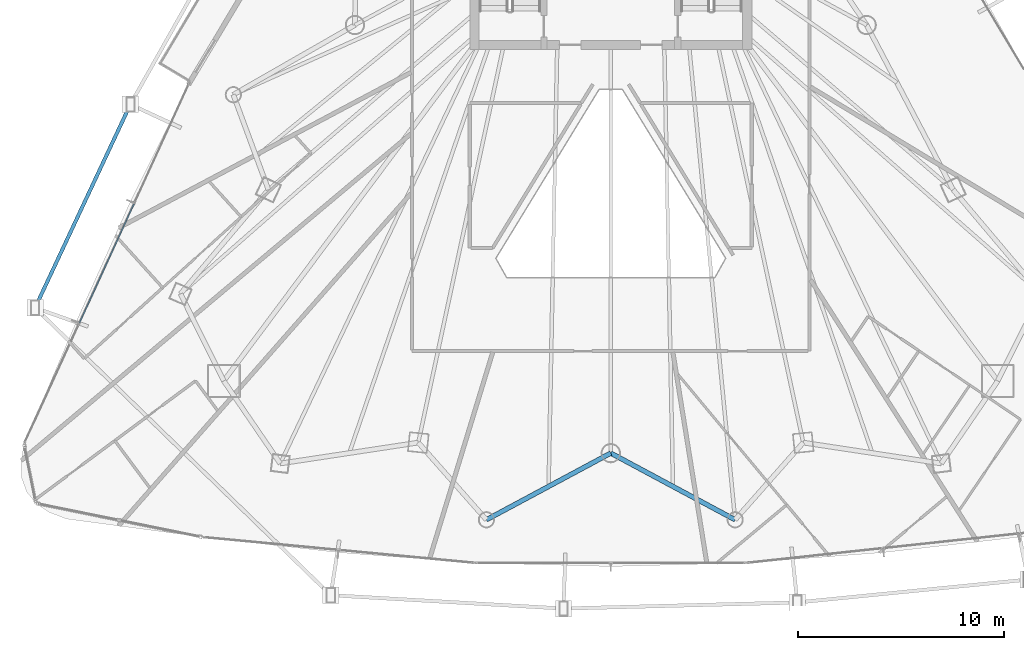
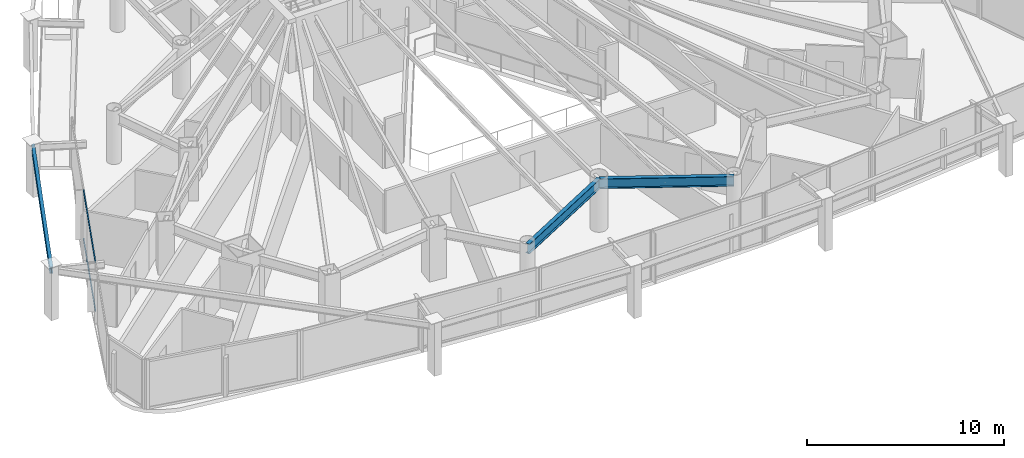
# One storey, part 8 of 38: 3 beams, 2 members, 1 element without a shape of its own.
"""IFC4 building model written with IfcOpenShell, lengths in metres."""

from ifc_helpers import new_model, si_unit, direction, frame, origin, origin_2d, place, context, subcontext, project, spatial, hollow_rectangle, i_section, extrude, material, layer, layer_set, material_profile, profile_set, type_object, element, aggregate, save


model = new_model("IFC4")

# Units and contexts
model_context = context("Model", 3, precision=1e-05, world=origin(), true_north=direction((0.0, 1.0)))
body_context = subcontext(model_context, "Body", "Model", "MODEL_VIEW")
ifc_project = project(units=[si_unit("LENGTHUNIT", "METRE"), si_unit("AREAUNIT", "SQUARE_METRE"), si_unit("VOLUMEUNIT", "CUBIC_METRE"), si_unit("PLANEANGLEUNIT", "RADIAN"), si_unit("MASSUNIT", "GRAM", prefix="KILO")], contexts=[model_context])

# Site, building, storey
site_placement = place(None, origin())
site = spatial("IfcSite", under=ifc_project, at=site_placement, CompositionType="ELEMENT")
building_placement = place(site_placement, origin())
building = spatial("IfcBuilding", under=site, at=building_placement, Name="Orvanel Arch Residences", CompositionType="ELEMENT")
storey_placement = place(building_placement, frame((0.0, 0.0, 50.0)))
storey = spatial("IfcBuildingStorey", under=building, at=storey_placement, Name="L13", CompositionType="ELEMENT", Elevation=50.0)

# Beams
ifc_material_1 = material(Name="Structural steel AS/NZS 3679.1 Grade 300 (300 MPa)", Category="steel")
ifc_material_profile_1 = material_profile(ifc_material_1, i_section(OverallWidth=0.177978515625, OverallDepth=0.406005859375, WebThickness=0.0078125, FlangeThickness=0.0126953125, at=origin_2d()), Name="410UB59.7")
ifc_profile_set_1 = profile_set([ifc_material_profile_1], Name="Structural steel AS/NZS 3679.1 Grade 300 (300 MPa)")
beam_type_1 = type_object("IfcBeamType", Name="OB-410UB-EXT", PredefinedType="SPANDREL", material=ifc_profile_set_1)
beam_placement = place(storey_placement, frame((9.658935546875, 23.784912109375, 2.85693359375), z_axis=(-0.424189154499, -0.905573608938, 0.0), x_axis=(0.905573608938, -0.424189154499, 0.0)))
element("IfcBeam", 1, at=beam_placement, inside=storey, type_object=beam_type_1, Name="L13 Outer Perimeter Floor Ring Beam 03", PredefinedType="SPANDREL", context=body_context, shape_type="SweptSolid", body=[
    extrude(i_section(OverallWidth=0.177978515625, OverallDepth=0.406005859375, WebThickness=0.0078125, FlangeThickness=0.0126953125, at=origin_2d()), origin(), (0.0, 0.0, 1.0), 10.91455078125),
])
ifc_material_profile_2 = material_profile(ifc_material_1, i_section(OverallWidth=0.22900390625, OverallDepth=0.612060546875, WebThickness=0.011962890625, FlangeThickness=0.01953125, at=origin_2d()), Name="610UB125")
ifc_profile_set_2 = profile_set([ifc_material_profile_2], Name="Structural steel AS/NZS 3679.1 Grade 300 (300 MPa)")
beam_type_2 = type_object("IfcBeamType", Name="SP-610UB", PredefinedType="SPANDREL", material=ifc_profile_set_2)
for number, where, z_axis, x_axis, name in (
    (2, (26.9580078125, 3.60498046875, 2.75390625), (0.881344400551, 0.472474388319, 0.0), (-0.472474388319, 0.881344400551, 0.0), "L13 Perimeter Spandrel Beam 06"),
    (3, (33.0, 6.843994140625, 2.75390625), (0.881344400551, -0.472474388319, 0.0), (0.472474388319, 0.881344400551, 0.0), "L13 Perimeter Spandrel Beam 07"),
):
    element("IfcBeam", number, at=place(storey_placement, frame(where, z_axis=z_axis, x_axis=x_axis)), inside=storey, type_object=beam_type_2, Name=name, PredefinedType="SPANDREL", context=body_context, shape_type="SweptSolid", body=[
        extrude(i_section(OverallWidth=0.22900390625, OverallDepth=0.612060546875, WebThickness=0.011962890625, FlangeThickness=0.01953125, at=origin_2d()), origin(), (0.0, 0.0, 1.0), 6.85546875),
    ])

# Curtain wall, members
ifc_material_2 = material(Name="Bronze-anodised aluminium AA6063-T6", Category="aluminium")
ifc_layer = layer(ifc_material_2, 0.179931640625)
ifc_layer_set = layer_set([ifc_layer], Name="Bronze-anodised aluminium AA6063-T6")
curtain_wall_type = type_object("IfcCurtainWallType", Name="CW2-LOW-SYS", PredefinedType="NOTDEFINED", material=ifc_layer_set)
curtain_wall_placement = place(storey_placement, origin())
curtain_wall = element("IfcCurtainWall", 4, at=curtain_wall_placement, inside=storey, type_object=curtain_wall_type, Name="L13 CW2-LOW-SYS Unitised Curtain Wall", PredefinedType="NOTDEFINED")
ifc_material_profile_3 = material_profile(ifc_material_2, hollow_rectangle(XDim=0.06005859375, YDim=0.135009765625, WallThickness=0.00390625, at=origin_2d()), Name="ALU135x60x4")
ifc_profile_set_3 = profile_set([ifc_material_profile_3], Name="Bronze-anodised aluminium AA6063-T6")
member_type = type_object("IfcMemberType", Name="TRN-135x60", PredefinedType="USERDEFINED", material=ifc_profile_set_3)
member_1_placement = place(storey_placement, frame((9.835205078125, 18.951416015625, 0.030029296875), z_axis=(-0.416392683211, -0.909184873042, 0.0), x_axis=(0.909184873042, -0.416392683211, 0.0)))
member_1 = element("IfcMember", 5, at=member_1_placement, type_object=member_type, Name="CW-S2 transom 2.1", ObjectType="TRANSOM", PredefinedType="USERDEFINED", context=body_context, shape_type="SweptSolid", body=[
    extrude(hollow_rectangle(XDim=0.06005859375, YDim=0.135009765625, WallThickness=0.00390625, at=origin_2d()), origin(), (0.0, 0.0, 1.0), 6.352783203125),
])
member_2_placement = place(storey_placement, frame((9.835205078125, 18.951416015625, 3.030029296875), z_axis=(-0.416392683211, -0.909184873042, 0.0), x_axis=(0.909184873042, -0.416392683211, 0.0)))
member_2 = element("IfcMember", 6, at=member_2_placement, type_object=member_type, Name="CW-S2 transom 2.2", ObjectType="TRANSOM", PredefinedType="USERDEFINED", context=body_context, shape_type="SweptSolid", body=[
    extrude(hollow_rectangle(XDim=0.06005859375, YDim=0.135009765625, WallThickness=0.00390625, at=origin_2d()), origin(), (0.0, 0.0, 1.0), 6.352783203125),
])
aggregate(curtain_wall, [member_1, member_2])

save(model, "model.ifc")
